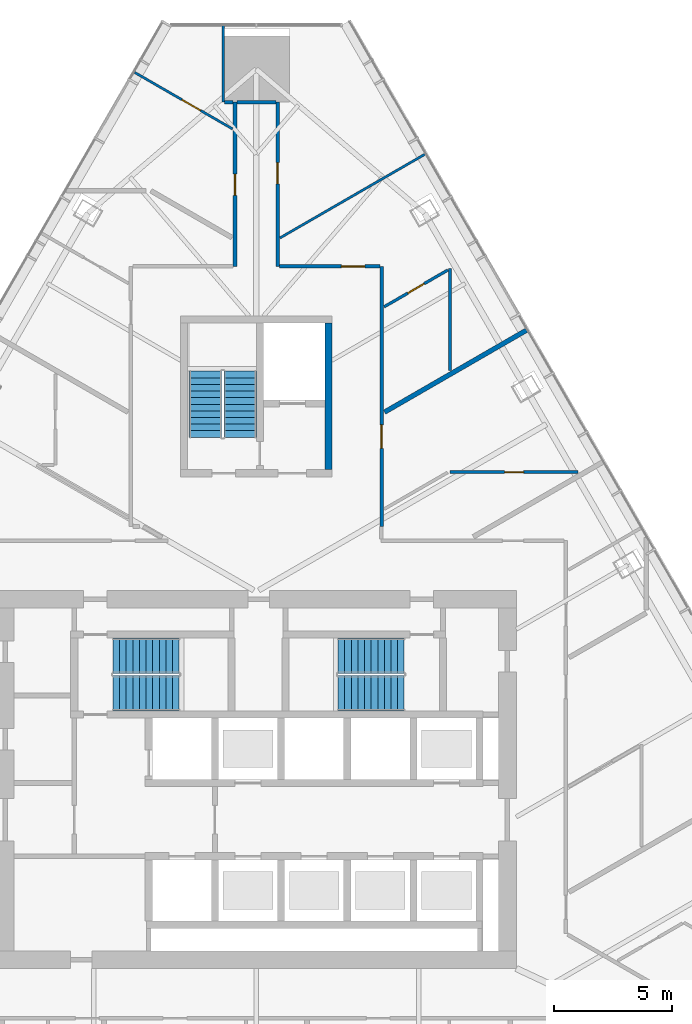
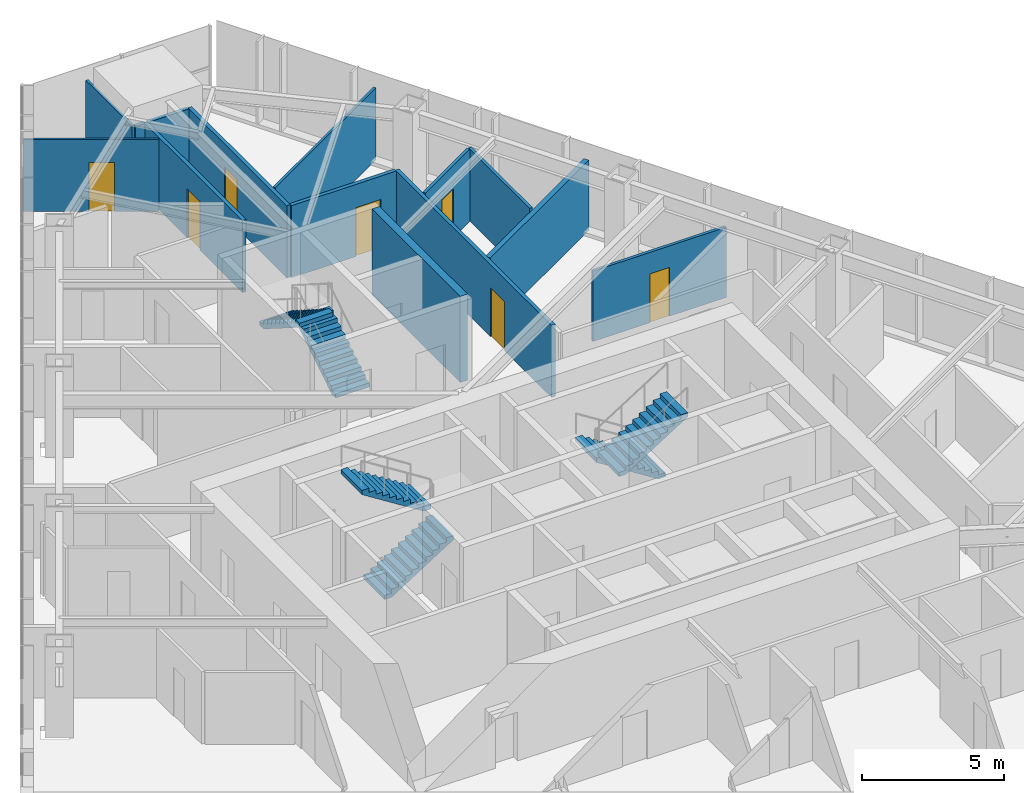
# One storey, part 14 of 16: 14 walls, 7 doors, 6 stair flights, 7 openings, 3 elements without a shape of their own.
"""IFC4 building model written with IfcOpenShell, lengths in metres."""

from ifc_helpers import new_model, si_unit, direction, frame, frame_2d, origin, place, context, subcontext, project, spatial, polyline, rectangle, outline, extrude, material, layer, layer_set, type_object, element, fill, aggregate, save


model = new_model("IFC4")

# Units and contexts
model_context = context("Model", 3, precision=1e-05, world=origin(), true_north=direction((0.0, 1.0)))
body_context = subcontext(model_context, "Body", "Model", "MODEL_VIEW")
ifc_project = project(units=[si_unit("LENGTHUNIT", "METRE"), si_unit("AREAUNIT", "SQUARE_METRE"), si_unit("VOLUMEUNIT", "CUBIC_METRE"), si_unit("PLANEANGLEUNIT", "RADIAN"), si_unit("MASSUNIT", "GRAM", prefix="KILO")], contexts=[model_context])

# Site, building, storey
site_placement = place(None, origin())
site = spatial("IfcSite", under=ifc_project, at=site_placement, CompositionType="ELEMENT")
building_placement = place(site_placement, origin())
building = spatial("IfcBuilding", under=site, at=building_placement, Name="Firuza Gate Tower and Library", CompositionType="ELEMENT")
storey_placement = place(building_placement, frame((0.0, 0.0, 198.699951171875)))
storey = spatial("IfcBuildingStorey", under=building, at=storey_placement, Name="L46", CompositionType="ELEMENT", Elevation=198.699951171875)

# Wall
ifc_material_1 = material(Name="Concrete C80/95", Category="concrete")
ifc_layer_1 = layer(ifc_material_1, 0.300048828125)
ifc_layer_set_1 = layer_set([ifc_layer_1], Name="Core wall 300 C80/95")
wall_type_1 = type_object("IfcWallType", Name="Core wall 300 C80/95", PredefinedType="SHEAR", material=ifc_layer_set_1)
wall_1_placement = place(storey_placement, frame((78.050048828125, 88.10009765625, 0.0), z_axis=(0.0, 0.0, 1.0), x_axis=(0.0, 1.0, 0.0)))
element("IfcWall", 1, at=wall_1_placement, inside=storey, type_object=wall_type_1, Name="Core wall L46 30", PredefinedType="SHEAR", context=body_context, shape_type="SweptSolid", body=[
    extrude(rectangle(XDim=6.199951171875, YDim=0.300048828125, at=frame_2d((3.10009765625, 0.0))), origin(), (0.0, 0.0, 1.0), 3.699951171875),
])

# Wall, opening, door
ifc_material_2 = material(Name="Gypsum board partition")
ifc_layer_2 = layer(ifc_material_2, 0.14990234375)
ifc_layer_set_2 = layer_set([ifc_layer_2], Name="Corridor wall 150 double board on steel studs")
wall_type_2 = type_object("IfcWallType", Name="Corridor wall 150 double board on steel studs", PredefinedType="PARTITIONING", material=ifc_layer_set_2)
wall_2_placement = place(storey_placement, frame((75.97509765625, 96.699951171875, 0.0), z_axis=(0.0, 0.0, 1.0), x_axis=(1.0, 0.0, 0.0)))
wall_2 = element("IfcWall", 2, at=wall_2_placement, inside=storey, type_object=wall_type_2, Name="f:L46:w015", PredefinedType="PARTITIONING", context=body_context, shape_type="SweptSolid", body=[
    extrude(rectangle(XDim=4.24951171875, YDim=0.14990234375, at=frame_2d((2.124755859375, 0.0))), origin(), (0.0, 0.0, 1.0), 3.10009765625),
])
opening_1_placement = place(wall_2_placement, frame((2.6220703125, 0.0, 0.0)))
opening_1 = element("IfcOpeningElement", 3, at=opening_1_placement, cuts=wall_2, Name="Opening L46-12", PredefinedType="OPENING", context=body_context, shape_type="SweptSolid", body=[
    extrude(rectangle(XDim=1.0, YDim=2.10009765625, at=frame_2d((0.5, 1.050048828125))), frame((0.0, 0.0849609375, 0.0), z_axis=(0.0, -1.0, 0.0), x_axis=(1.0, 0.0, 0.0)), (0.0, 0.0, 1.0), 0.169921875),
])
ifc_material_3 = material(Name="Steel door and timber leaf", Category="steel")
door_type_1 = type_object("IfcDoorType", Name="Fire door 1000 x 2100 steel frame, timber leaf", OperationType="NOTDEFINED", PredefinedType="DOOR", material=ifc_material_3)
door_1_placement = place(opening_1_placement, origin())
door_1 = element("IfcDoor", 4, at=door_1_placement, inside=storey, type_object=door_type_1, Name="f:L46:d012", OperationType="SINGLE_SWING_LEFT", OverallHeight=2.10009765625, OverallWidth=1.0, PredefinedType="DOOR", context=body_context, shape_type="SweptSolid", body=[
    extrude(rectangle(XDim=1.0, YDim=2.10009765625, at=frame_2d((0.5, 1.050048828125))), frame((0.0, 0.02490234375, 0.0), z_axis=(0.0, -1.0, 0.0), x_axis=(1.0, 0.0, 0.0)), (0.0, 0.0, 1.0), 0.050048828125),
])
fill(opening_1, door_1)

# Wall
wall_3_placement = place(storey_placement, frame((73.650390625, 103.64794921875, 0.0), z_axis=(0.0, 0.0, 1.0), x_axis=(1.0, 0.0, 0.0)))
element("IfcWall", 5, at=wall_3_placement, inside=storey, type_object=wall_type_2, Name="f:L46:w017", PredefinedType="PARTITIONING", context=body_context, shape_type="SweptSolid", body=[
    extrude(rectangle(XDim=0.37451171875, YDim=0.14990234375, at=frame_2d((0.187255859375, 0.0))), origin(), (0.0, 0.0, 1.0), 3.10009765625),
])

# Wall, opening, door
wall_4_placement = place(storey_placement, frame((80.300048828125, 96.699462890625, 0.0), z_axis=(0.0, 0.0, 1.0), x_axis=(0.0, -1.0, 0.0)))
wall_4 = element("IfcWall", 6, at=wall_4_placement, inside=storey, type_object=wall_type_2, Name="f:L46:w050", PredefinedType="PARTITIONING", context=body_context, shape_type="SweptSolid", body=[
    extrude(rectangle(XDim=10.9990234375, YDim=0.14990234375, at=frame_2d((5.49951171875, 0.0))), origin(), (0.0, 0.0, 1.0), 3.09716796875),
])
opening_2_placement = place(wall_4_placement, frame((6.697021484375, 0.0, 0.0)))
opening_2 = element("IfcOpeningElement", 7, at=opening_2_placement, cuts=wall_4, Name="Opening L46-27", PredefinedType="OPENING", context=body_context, shape_type="SweptSolid", body=[
    extrude(rectangle(XDim=1.0, YDim=2.10009765625, at=frame_2d((0.5, 1.050048828125))), frame((0.0, 0.0849609375, 0.0), z_axis=(0.0, -1.0, 0.0), x_axis=(1.0, 0.0, 0.0)), (0.0, 0.0, 1.0), 0.169921875),
])
door_2_placement = place(opening_2_placement, origin())
door_2 = element("IfcDoor", 8, at=door_2_placement, inside=storey, type_object=door_type_1, Name="f:L46:d027", OperationType="SINGLE_SWING_RIGHT", OverallHeight=2.10009765625, OverallWidth=1.0, PredefinedType="DOOR", context=body_context, shape_type="SweptSolid", body=[
    extrude(rectangle(XDim=1.0, YDim=2.10009765625, at=frame_2d((0.5, 1.050048828125))), frame((0.0, 0.02490234375, 0.0), z_axis=(0.0, -1.0, 0.0), x_axis=(1.0, 0.0, 0.0)), (0.0, 0.0, 1.0), 0.050048828125),
])
fill(opening_2, door_2)

wall_5_placement = place(storey_placement, frame((75.89990234375, 103.6474609375, 0.0), z_axis=(0.0, 0.0, 1.0), x_axis=(0.0, -1.0, 0.0)))
wall_5 = element("IfcWall", 9, at=wall_5_placement, inside=storey, type_object=wall_type_2, Name="f:L46:w053", PredefinedType="PARTITIONING", context=body_context, shape_type="SweptSolid", body=[
    extrude(rectangle(XDim=6.947509765625, YDim=0.14990234375, at=frame_2d((3.4736328125, 0.0))), origin(), (0.0, 0.0, 1.0), 3.10009765625),
])
opening_3_placement = place(wall_5_placement, frame((2.5517578125, 0.0, 0.0)))
opening_3 = element("IfcOpeningElement", 10, at=opening_3_placement, cuts=wall_5, Name="Opening L46-28", PredefinedType="OPENING", context=body_context, shape_type="SweptSolid", body=[
    extrude(rectangle(XDim=0.89990234375, YDim=2.10009765625, at=frame_2d((0.449951171875, 1.050048828125))), frame((0.0, 0.0849609375, 0.0), z_axis=(0.0, -1.0, 0.0), x_axis=(1.0, 0.0, 0.0)), (0.0, 0.0, 1.0), 0.169921875),
])
ifc_material_4 = material(Name="Steel door and timber leaf", Category="steel")
door_type_2 = type_object("IfcDoorType", Name="Fire door 900 x 2100 steel frame, timber leaf", OperationType="NOTDEFINED", PredefinedType="DOOR", material=ifc_material_4)
door_3_placement = place(opening_3_placement, origin())
door_3 = element("IfcDoor", 11, at=door_3_placement, inside=storey, type_object=door_type_2, Name="f:L46:d028", OperationType="SINGLE_SWING_RIGHT", OverallHeight=2.10009765625, OverallWidth=0.89990234375, PredefinedType="DOOR", context=body_context, shape_type="SweptSolid", body=[
    extrude(rectangle(XDim=0.89990234375, YDim=2.10009765625, at=frame_2d((0.449951171875, 1.050048828125))), frame((0.0, 0.02490234375, 0.0), z_axis=(0.0, -1.0, 0.0), x_axis=(1.0, 0.0, 0.0)), (0.0, 0.0, 1.0), 0.050048828125),
])
fill(opening_3, door_3)

wall_6_placement = place(storey_placement, frame((74.10009765625, 96.699951171875, 0.0), z_axis=(0.0, 0.0, 1.0), x_axis=(0.0, 1.0, 0.0)))
wall_6 = element("IfcWall", 12, at=wall_6_placement, inside=storey, type_object=wall_type_2, Name="f:L46:w055", PredefinedType="PARTITIONING", context=body_context, shape_type="SweptSolid", body=[
    extrude(rectangle(XDim=6.947998046875, YDim=0.14990234375, at=frame_2d((3.47412109375, 0.0))), origin(), (0.0, 0.0, 1.0), 3.10009765625),
])
opening_4_placement = place(wall_6_placement, frame((3.002197265625, 0.0, 0.0)))
opening_4 = element("IfcOpeningElement", 13, at=opening_4_placement, cuts=wall_6, Name="Opening L46-29", PredefinedType="OPENING", context=body_context, shape_type="SweptSolid", body=[
    extrude(rectangle(XDim=0.89990234375, YDim=2.10009765625, at=frame_2d((0.449951171875, 1.050048828125))), frame((0.0, 0.0849609375, 0.0), z_axis=(0.0, -1.0, 0.0), x_axis=(1.0, 0.0, 0.0)), (0.0, 0.0, 1.0), 0.169921875),
])
door_4_placement = place(opening_4_placement, origin())
door_4 = element("IfcDoor", 14, at=door_4_placement, inside=storey, type_object=door_type_2, Name="f:L46:d029", OperationType="SINGLE_SWING_LEFT", OverallHeight=2.10009765625, OverallWidth=0.89990234375, PredefinedType="DOOR", context=body_context, shape_type="SweptSolid", body=[
    extrude(rectangle(XDim=0.89990234375, YDim=2.10009765625, at=frame_2d((0.449951171875, 1.050048828125))), frame((0.0, 0.02490234375, 0.0), z_axis=(0.0, -1.0, 0.0), x_axis=(1.0, 0.0, 0.0)), (0.0, 0.0, 1.0), 0.050048828125),
])
fill(opening_4, door_4)

# Walls
wall_7_placement = place(storey_placement, frame((74.175048828125, 103.64794921875, 0.0), z_axis=(0.0, 0.0, 1.0), x_axis=(1.0, 0.0, 0.0)))
element("IfcWall", 15, at=wall_7_placement, inside=storey, type_object=wall_type_2, Name="f:L46:w095", PredefinedType="PARTITIONING", context=body_context, shape_type="SweptSolid", body=[
    extrude(rectangle(XDim=1.6494140625, YDim=0.14990234375, at=frame_2d((0.82470703125, 0.0))), origin(), (0.0, 0.0, 1.0), 3.09716796875),
])
ifc_material_5 = material(Name="Gypsum board partition")
ifc_layer_3 = layer(ifc_material_5, 0.199951171875)
ifc_layer_set_3 = layer_set([ifc_layer_3], Name="Demising wall 200 acoustic double stud")
wall_type_3 = type_object("IfcWallType", Name="Demising wall 200 acoustic double stud", PredefinedType="PARTITIONING", material=ifc_layer_set_3)
wall_8_placement = place(storey_placement, frame((80.427001953125, 90.537109375, 0.0), z_axis=(0.0, 0.0, 1.0), x_axis=(0.866030778866, 0.49999068997, 0.0)))
element("IfcWall", 16, at=wall_8_placement, inside=storey, type_object=wall_type_3, Name="f:L46:w034", PredefinedType="PARTITIONING", context=body_context, shape_type="SweptSolid", body=[
    extrude(rectangle(XDim=6.933349609375, YDim=0.199951171875, at=frame_2d((3.466796875, 0.0))), origin(), (0.0, 0.0, 1.0), 3.02197265625),
])
ifc_material_6 = material(Name="Gypsum board partition")
ifc_layer_4 = layer(ifc_material_6, 0.10009765625)
ifc_layer_set_4 = layer_set([ifc_layer_4], Name="Partition 100 gypsum board on steel studs")
wall_type_4 = type_object("IfcWallType", Name="Partition 100 gypsum board on steel studs", PredefinedType="PARTITIONING", material=ifc_layer_set_4)
wall_9_placement = place(storey_placement, frame((76.0009765625, 97.9052734375, 0.0), z_axis=(0.0, 0.0, 1.0), x_axis=(0.866028291626, 0.499994998079, 0.0)))
element("IfcWall", 17, at=wall_9_placement, inside=storey, type_object=wall_type_4, Name="f:L46:w036", PredefinedType="PARTITIONING", context=body_context, shape_type="SweptSolid", body=[
    extrude(rectangle(XDim=7.08203125, YDim=0.10009765625, at=frame_2d((3.541015625, 0.0))), origin(), (0.0, 0.0, 1.0), 3.10009765625),
])
wall_10_placement = place(storey_placement, frame((73.60009765625, 103.6484375, 0.0), z_axis=(0.0, 0.0, 1.0), x_axis=(0.0, 1.0, 0.0)))
element("IfcWall", 18, at=wall_10_placement, inside=storey, type_object=wall_type_4, Name="f:L46:w057", PredefinedType="PARTITIONING", context=body_context, shape_type="SweptSolid", body=[
    extrude(rectangle(XDim=3.259521484375, YDim=0.10009765625, at=frame_2d((1.6298828125, 0.0))), origin(), (0.0, 0.0, 1.0), 3.10009765625),
])

# Wall, opening, door
wall_11_placement = place(storey_placement, frame((73.999267578125, 102.515869140625, 0.0), z_axis=(0.0, 0.0, 1.0), x_axis=(-0.86602048362, 0.500008521878, 0.0)))
wall_11 = element("IfcWall", 19, at=wall_11_placement, inside=storey, type_object=wall_type_4, Name="f:L46:w075", PredefinedType="PARTITIONING", context=body_context, shape_type="SweptSolid", body=[
    extrude(rectangle(XDim=4.77734375, YDim=0.10009765625, at=frame_2d((2.388671875, 0.0))), origin(), (0.0, 0.0, 1.0), 3.10009765625),
])
opening_5_placement = place(wall_11_placement, frame((1.570068359375, 0.0, 0.0)))
opening_5 = element("IfcOpeningElement", 20, at=opening_5_placement, cuts=wall_11, Name="Opening L46-37", PredefinedType="OPENING", context=body_context, shape_type="SweptSolid", body=[
    extrude(rectangle(XDim=0.89990234375, YDim=2.10009765625, at=frame_2d((0.449951171875, 1.050048828125))), frame((0.0, 0.06005859375, 0.0), z_axis=(0.0, -1.0, 0.0), x_axis=(1.0, 0.0, 0.0)), (0.0, 0.0, 1.0), 0.1201171875),
])
ifc_material_7 = material(Name="Timber door", Category="wood")
door_type_3 = type_object("IfcDoorType", Name="Door 900 x 2100 timber leaf", OperationType="NOTDEFINED", PredefinedType="DOOR", material=ifc_material_7)
door_5_placement = place(opening_5_placement, origin())
door_5 = element("IfcDoor", 21, at=door_5_placement, inside=storey, type_object=door_type_3, Name="f:L46:d037", OperationType="SINGLE_SWING_RIGHT", OverallHeight=2.10009765625, OverallWidth=0.89990234375, PredefinedType="DOOR", context=body_context, shape_type="SweptSolid", body=[
    extrude(rectangle(XDim=0.89990234375, YDim=2.10009765625, at=frame_2d((0.449951171875, 1.050048828125))), frame((0.0, 0.02490234375, 0.0), z_axis=(0.0, -1.0, 0.0), x_axis=(1.0, 0.0, 0.0)), (0.0, 0.0, 1.0), 0.050048828125),
])
fill(opening_5, door_5)

ifc_material_8 = material(Name="Gypsum board partition")
ifc_layer_5 = layer(ifc_material_8, 0.1201171875)
ifc_layer_set_5 = layer_set([ifc_layer_5], Name="Wet-area partition 120 moisture-resistant board")
wall_type_5 = type_object("IfcWallType", Name="Wet-area partition 120 moisture-resistant board", PredefinedType="PARTITIONING", material=ifc_layer_set_5)
wall_12_placement = place(storey_placement, frame((88.61279296875, 88.0, 0.0), z_axis=(0.0, 0.0, 1.0), x_axis=(-1.0, 0.0, 0.0)))
wall_12 = element("IfcWall", 22, at=wall_12_placement, inside=storey, type_object=wall_type_5, Name="f:L46:w012", PredefinedType="PARTITIONING", context=body_context, shape_type="SweptSolid", body=[
    extrude(rectangle(XDim=5.412353515625, YDim=0.1201171875, at=frame_2d((2.7060546875, 0.0))), origin(), (0.0, 0.0, 1.0), 3.02197265625),
])
opening_6_placement = place(wall_12_placement, frame((2.30615234375, 0.0, 0.0)))
opening_6 = element("IfcOpeningElement", 23, at=opening_6_placement, cuts=wall_12, Name="Opening L46-11", PredefinedType="OPENING", context=body_context, shape_type="SweptSolid", body=[
    extrude(rectangle(XDim=0.800048828125, YDim=2.10009765625, at=frame_2d((0.39990234375, 1.050048828125))), frame((0.0, 0.070068359375, 0.0), z_axis=(0.0, -1.0, 0.0), x_axis=(1.0, 0.0, 0.0)), (0.0, 0.0, 1.0), 0.14013671875),
])
ifc_material_9 = material(Name="Timber door", Category="wood")
door_type_4 = type_object("IfcDoorType", Name="Door 800 x 2100 timber leaf", OperationType="NOTDEFINED", PredefinedType="DOOR", material=ifc_material_9)
door_6_placement = place(opening_6_placement, origin())
door_6 = element("IfcDoor", 24, at=door_6_placement, inside=storey, type_object=door_type_4, Name="f:L46:d011", OperationType="SINGLE_SWING_LEFT", OverallHeight=2.10009765625, OverallWidth=0.800048828125, PredefinedType="DOOR", context=body_context, shape_type="SweptSolid", body=[
    extrude(rectangle(XDim=0.800048828125, YDim=2.10009765625, at=frame_2d((0.39990234375, 1.050048828125))), frame((0.0, 0.02490234375, 0.0), z_axis=(0.0, -1.0, 0.0), x_axis=(1.0, 0.0, 0.0)), (0.0, 0.0, 1.0), 0.050048828125),
])
fill(opening_6, door_6)

wall_13_placement = place(storey_placement, frame((83.10546875, 96.548828125, 0.0), z_axis=(0.0, 0.0, 1.0), x_axis=(-0.866028856698, -0.499994019331, 0.0)))
wall_13 = element("IfcWall", 25, at=wall_13_placement, inside=storey, type_object=wall_type_5, Name="f:L46:w035", PredefinedType="PARTITIONING", context=body_context, shape_type="SweptSolid", body=[
    extrude(rectangle(XDim=3.11279296875, YDim=0.1201171875, at=frame_2d((1.556396484375, 0.0))), origin(), (0.0, 0.0, 1.0), 3.10009765625),
])
opening_7_placement = place(wall_13_placement, frame((1.156494140625, 0.0, 0.0)))
opening_7 = element("IfcOpeningElement", 26, at=opening_7_placement, cuts=wall_13, Name="Opening L46-20", PredefinedType="OPENING", context=body_context, shape_type="SweptSolid", body=[
    extrude(rectangle(XDim=0.800048828125, YDim=2.10009765625, at=frame_2d((0.39990234375, 1.050048828125))), frame((0.0, 0.070068359375, 0.0), z_axis=(0.0, -1.0, 0.0), x_axis=(1.0, 0.0, 0.0)), (0.0, 0.0, 1.0), 0.14013671875),
])
door_7_placement = place(opening_7_placement, origin())
door_7 = element("IfcDoor", 27, at=door_7_placement, inside=storey, type_object=door_type_4, Name="f:L46:d020", OperationType="SINGLE_SWING_LEFT", OverallHeight=2.10009765625, OverallWidth=0.800048828125, PredefinedType="DOOR", context=body_context, shape_type="SweptSolid", body=[
    extrude(rectangle(XDim=0.800048828125, YDim=2.10009765625, at=frame_2d((0.39990234375, 1.050048828125))), frame((0.0, 0.02490234375, 0.0), z_axis=(0.0, -1.0, 0.0), x_axis=(1.0, 0.0, 0.0)), (0.0, 0.0, 1.0), 0.050048828125),
])
fill(opening_7, door_7)

# Wall
wall_14_placement = place(storey_placement, frame((83.199951171875, 92.293701171875, 0.0), z_axis=(0.0, 0.0, 1.0), x_axis=(0.0, 1.0, 0.0)))
element("IfcWall", 28, at=wall_14_placement, inside=storey, type_object=wall_type_5, Name="f:L46:w047", PredefinedType="PARTITIONING", context=body_context, shape_type="SweptSolid", body=[
    extrude(rectangle(XDim=4.31005859375, YDim=0.1201171875, at=frame_2d((2.155029296875, 0.0))), origin(), (0.0, 0.0, 1.0), 3.10009765625),
])

# Stair, stair flights
ifc_material_10 = material(Name="Concrete C35/45", Category="concrete")
stair_type_1 = type_object("IfcStairType", Name="Exit stair ST16", PredefinedType="HALF_TURN_STAIR", material=ifc_material_10)
placement = place(storey_placement, origin())
stair_1 = element("IfcStair", 29, at=placement, inside=storey, type_object=stair_type_1, Name="L46 Stair ST3", PredefinedType="HALF_TURN_STAIR")
ifc_material_11 = material(Name="Concrete C35/45", Category="concrete")
stair_flight_type_1 = type_object("IfcStairFlightType", Name="Stair flight 11 risers 177.3 width 1370", PredefinedType="STRAIGHT", material=ifc_material_11)
stair_flight_1_placement = place(storey_placement, frame((74.31494140625, 89.469970703125, 0.0), z_axis=(0.0, 0.0, 1.0), x_axis=(0.0, 1.0, 0.0)))
stair_flight_1 = element("IfcStairFlight", 30, at=stair_flight_1_placement, type_object=stair_flight_type_1, Name="ST3 flight 1", NumberOfRisers=11, NumberOfTreads=10, PredefinedType="STRAIGHT", RiserHeight=0.177272727, TreadLength=0.28, context=body_context, shape_type="SweptSolid", body=[
    extrude(outline(polyline([(0.0, 0.0), (0.0, 0.17724609375), (0.280029296875, 0.17724609375), (0.280029296875, 0.3544921875), (0.56005859375, 0.3544921875), (0.56005859375, 0.53173828125), (0.840087890625, 0.53173828125), (0.840087890625, 0.708984375), (1.1201171875, 0.708984375), (1.1201171875, 0.886474609375), (1.39990234375, 0.886474609375), (1.39990234375, 1.063720703125), (1.679931640625, 1.063720703125), (1.679931640625, 1.240966796875), (1.9599609375, 1.240966796875), (1.9599609375, 1.418212890625), (2.239990234375, 1.418212890625), (2.239990234375, 1.595458984375), (2.52001953125, 1.595458984375), (2.52001953125, 1.772705078125), (2.800048828125, 1.772705078125), (2.800048828125, 1.949951171875), (2.800048828125, 1.59521484375), (0.2802734375, 0.0), (0.0, 0.0)])), frame((0.0, 0.68505859375, 0.0), z_axis=(0.0, -1.0, 0.0), x_axis=(1.0, 0.0, 0.0)), (0.0, 0.0, 1.0), 1.3701171875),
])
stair_flight_2_placement = place(storey_placement, frame((72.844970703125, 92.27001953125, 1.949951171875), z_axis=(0.0, 0.0, 1.0), x_axis=(0.0, -1.0, 0.0)))
stair_flight_2 = element("IfcStairFlight", 31, at=stair_flight_2_placement, type_object=stair_flight_type_1, Name="ST3 flight 2", NumberOfRisers=11, NumberOfTreads=10, PredefinedType="STRAIGHT", RiserHeight=0.177272727, TreadLength=0.28, context=body_context, shape_type="SweptSolid", body=[
    extrude(outline(polyline([(0.0, 0.0), (0.0, 0.17724609375), (0.280029296875, 0.17724609375), (0.280029296875, 0.3544921875), (0.56005859375, 0.3544921875), (0.56005859375, 0.53173828125), (0.840087890625, 0.53173828125), (0.840087890625, 0.708984375), (1.1201171875, 0.708984375), (1.1201171875, 0.886474609375), (1.39990234375, 0.886474609375), (1.39990234375, 1.063720703125), (1.679931640625, 1.063720703125), (1.679931640625, 1.240966796875), (1.9599609375, 1.240966796875), (1.9599609375, 1.418212890625), (2.239990234375, 1.418212890625), (2.239990234375, 1.595458984375), (2.52001953125, 1.595458984375), (2.52001953125, 1.772705078125), (2.800048828125, 1.772705078125), (2.800048828125, 1.949951171875), (2.800048828125, 1.59521484375), (0.2802734375, 0.0), (0.0, 0.0)])), frame((0.0, 0.68505859375, 0.0), z_axis=(0.0, -1.0, 0.0), x_axis=(1.0, 0.0, 0.0)), (0.0, 0.0, 1.0), 1.3701171875),
])
aggregate(stair_1, [stair_flight_1, stair_flight_2])

ifc_material_12 = material(Name="Concrete C35/45", Category="concrete")
stair_type_2 = type_object("IfcStairType", Name="Exit stair ST7", PredefinedType="HALF_TURN_STAIR", material=ifc_material_12)
stair_2 = element("IfcStair", 32, at=placement, inside=storey, type_object=stair_type_2, Name="L46 Stair ST1", PredefinedType="HALF_TURN_STAIR")
ifc_material_13 = material(Name="Concrete C35/45", Category="concrete")
stair_flight_type_2 = type_object("IfcStairFlightType", Name="Stair flight 11 risers 177.3 width 1490", PredefinedType="STRAIGHT", material=ifc_material_13)
stair_flight_3_placement = place(storey_placement, frame((68.93994140625, 78.64501953125, 0.0), z_axis=(0.0, 0.0, 1.0), x_axis=(1.0, 0.0, 0.0)))
stair_flight_3 = element("IfcStairFlight", 33, at=stair_flight_3_placement, type_object=stair_flight_type_2, Name="ST1 flight 1", NumberOfRisers=11, NumberOfTreads=10, PredefinedType="STRAIGHT", RiserHeight=0.177272727, TreadLength=0.28, context=body_context, shape_type="SweptSolid", body=[
    extrude(outline(polyline([(0.0, 0.0), (0.0, 0.17724609375), (0.280029296875, 0.17724609375), (0.280029296875, 0.3544921875), (0.56005859375, 0.3544921875), (0.56005859375, 0.53173828125), (0.840087890625, 0.53173828125), (0.840087890625, 0.708984375), (1.1201171875, 0.708984375), (1.1201171875, 0.886474609375), (1.39990234375, 0.886474609375), (1.39990234375, 1.063720703125), (1.679931640625, 1.063720703125), (1.679931640625, 1.240966796875), (1.9599609375, 1.240966796875), (1.9599609375, 1.418212890625), (2.239990234375, 1.418212890625), (2.239990234375, 1.595458984375), (2.52001953125, 1.595458984375), (2.52001953125, 1.772705078125), (2.800048828125, 1.772705078125), (2.800048828125, 1.949951171875), (2.800048828125, 1.59521484375), (0.2802734375, 0.0), (0.0, 0.0)])), frame((0.0, 0.7451171875, 0.0), z_axis=(0.0, -1.0, 0.0), x_axis=(1.0, 0.0, 0.0)), (0.0, 0.0, 1.0), 1.489990234375),
])
stair_flight_4_placement = place(storey_placement, frame((71.739990234375, 80.235107421875, 1.949951171875), z_axis=(0.0, 0.0, 1.0), x_axis=(-1.0, 0.0, 0.0)))
stair_flight_4 = element("IfcStairFlight", 34, at=stair_flight_4_placement, type_object=stair_flight_type_2, Name="ST1 flight 2", NumberOfRisers=11, NumberOfTreads=10, PredefinedType="STRAIGHT", RiserHeight=0.177272727, TreadLength=0.28, context=body_context, shape_type="SweptSolid", body=[
    extrude(outline(polyline([(0.0, 0.0), (0.0, 0.17724609375), (0.280029296875, 0.17724609375), (0.280029296875, 0.3544921875), (0.56005859375, 0.3544921875), (0.56005859375, 0.53173828125), (0.840087890625, 0.53173828125), (0.840087890625, 0.708984375), (1.1201171875, 0.708984375), (1.1201171875, 0.886474609375), (1.39990234375, 0.886474609375), (1.39990234375, 1.063720703125), (1.679931640625, 1.063720703125), (1.679931640625, 1.240966796875), (1.9599609375, 1.240966796875), (1.9599609375, 1.418212890625), (2.239990234375, 1.418212890625), (2.239990234375, 1.595458984375), (2.52001953125, 1.595458984375), (2.52001953125, 1.772705078125), (2.800048828125, 1.772705078125), (2.800048828125, 1.949951171875), (2.800048828125, 1.59521484375), (0.2802734375, 0.0), (0.0, 0.0)])), frame((0.0, 0.7451171875, 0.0), z_axis=(0.0, -1.0, 0.0), x_axis=(1.0, 0.0, 0.0)), (0.0, 0.0, 1.0), 1.489990234375),
])
aggregate(stair_2, [stair_flight_3, stair_flight_4])

stair_3 = element("IfcStair", 35, at=placement, inside=storey, type_object=stair_type_2, Name="L46 Stair ST2", PredefinedType="HALF_TURN_STAIR")
stair_flight_5_placement = place(storey_placement, frame((81.260009765625, 80.235107421875, 0.0), z_axis=(0.0, 0.0, 1.0), x_axis=(-1.0, 0.0, 0.0)))
stair_flight_5 = element("IfcStairFlight", 36, at=stair_flight_5_placement, type_object=stair_flight_type_2, Name="ST2 flight 1", NumberOfRisers=11, NumberOfTreads=10, PredefinedType="STRAIGHT", RiserHeight=0.177272727, TreadLength=0.28, context=body_context, shape_type="SweptSolid", body=[
    extrude(outline(polyline([(0.0, 0.0), (0.0, 0.17724609375), (0.280029296875, 0.17724609375), (0.280029296875, 0.3544921875), (0.56005859375, 0.3544921875), (0.56005859375, 0.53173828125), (0.840087890625, 0.53173828125), (0.840087890625, 0.708984375), (1.1201171875, 0.708984375), (1.1201171875, 0.886474609375), (1.39990234375, 0.886474609375), (1.39990234375, 1.063720703125), (1.679931640625, 1.063720703125), (1.679931640625, 1.240966796875), (1.9599609375, 1.240966796875), (1.9599609375, 1.418212890625), (2.239990234375, 1.418212890625), (2.239990234375, 1.595458984375), (2.52001953125, 1.595458984375), (2.52001953125, 1.772705078125), (2.800048828125, 1.772705078125), (2.800048828125, 1.949951171875), (2.800048828125, 1.59521484375), (0.2802734375, 0.0), (0.0, 0.0)])), frame((0.0, 0.7451171875, 0.0), z_axis=(0.0, -1.0, 0.0), x_axis=(1.0, 0.0, 0.0)), (0.0, 0.0, 1.0), 1.489990234375),
])
stair_flight_6_placement = place(storey_placement, frame((78.4599609375, 78.64501953125, 1.949951171875), z_axis=(0.0, 0.0, 1.0), x_axis=(1.0, 0.0, 0.0)))
stair_flight_6 = element("IfcStairFlight", 37, at=stair_flight_6_placement, type_object=stair_flight_type_2, Name="ST2 flight 2", NumberOfRisers=11, NumberOfTreads=10, PredefinedType="STRAIGHT", RiserHeight=0.177272727, TreadLength=0.28, context=body_context, shape_type="SweptSolid", body=[
    extrude(outline(polyline([(0.0, 0.0), (0.0, 0.17724609375), (0.280029296875, 0.17724609375), (0.280029296875, 0.3544921875), (0.56005859375, 0.3544921875), (0.56005859375, 0.53173828125), (0.840087890625, 0.53173828125), (0.840087890625, 0.708984375), (1.1201171875, 0.708984375), (1.1201171875, 0.886474609375), (1.39990234375, 0.886474609375), (1.39990234375, 1.063720703125), (1.679931640625, 1.063720703125), (1.679931640625, 1.240966796875), (1.9599609375, 1.240966796875), (1.9599609375, 1.418212890625), (2.239990234375, 1.418212890625), (2.239990234375, 1.595458984375), (2.52001953125, 1.595458984375), (2.52001953125, 1.772705078125), (2.800048828125, 1.772705078125), (2.800048828125, 1.949951171875), (2.800048828125, 1.59521484375), (0.2802734375, 0.0), (0.0, 0.0)])), frame((0.0, 0.7451171875, 0.0), z_axis=(0.0, -1.0, 0.0), x_axis=(1.0, 0.0, 0.0)), (0.0, 0.0, 1.0), 1.489990234375),
])
aggregate(stair_3, [stair_flight_5, stair_flight_6])

save(model, "model.ifc")
